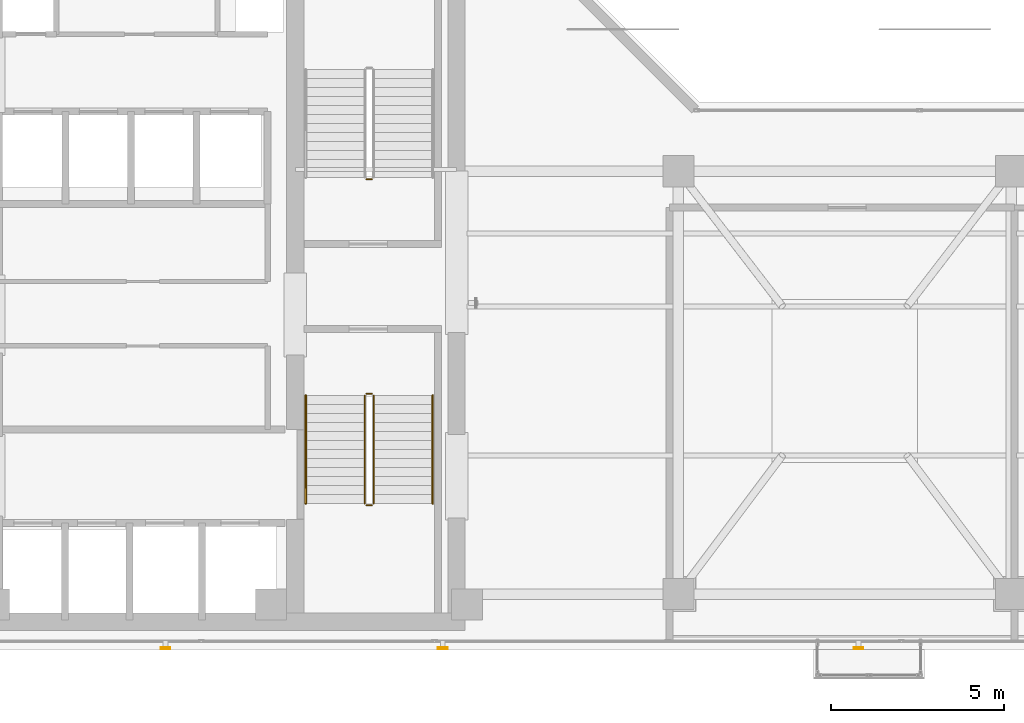
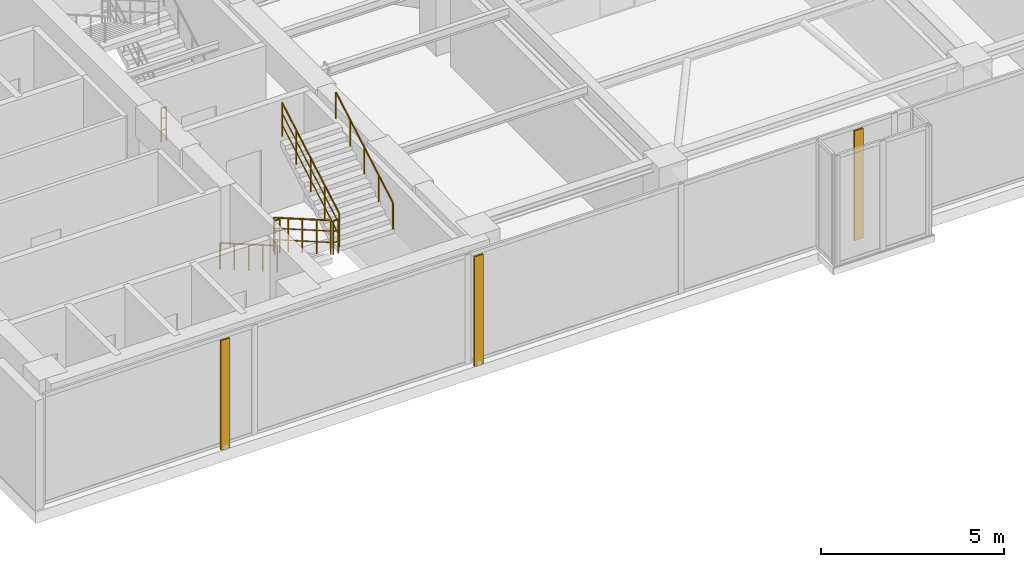
# One storey, part 27 of 31: 7 railings, 3 shading devices.
"""IFC4 building model written with IfcOpenShell, lengths in metres."""

from ifc_helpers import new_model, si_unit, direction, frame, origin, origin_2d, place, context, subcontext, project, spatial, hollow_rectangle, circle, extrude, material, material_profile, profile_set, type_object, element, save


model = new_model("IFC4")

# Units and contexts
model_context = context("Model", 3, precision=1e-05, world=origin(), true_north=direction((0.0, 1.0)))
body_context = subcontext(model_context, "Body", "Model", "MODEL_VIEW")
ifc_project = project(units=[si_unit("LENGTHUNIT", "METRE"), si_unit("AREAUNIT", "SQUARE_METRE"), si_unit("VOLUMEUNIT", "CUBIC_METRE"), si_unit("PLANEANGLEUNIT", "RADIAN"), si_unit("MASSUNIT", "GRAM", prefix="KILO")], contexts=[model_context])

# Site, building, storey
site_placement = place(None, origin())
site = spatial("IfcSite", under=ifc_project, at=site_placement, CompositionType="ELEMENT")
building_placement = place(site_placement, origin())
building = spatial("IfcBuilding", under=site, at=building_placement, Name="Kolvaren Waterfront Exchange", CompositionType="ELEMENT")
storey_placement = place(building_placement, frame((0.0, 0.0, 344.199951171875)))
storey = spatial("IfcBuildingStorey", under=building, at=storey_placement, Name="L88", CompositionType="ELEMENT", Elevation=344.199951171875)

# Shading devices
ifc_material_1 = material(Name="Anodised bronze aluminium 6063-T6", Category="aluminium")
ifc_material_profile = material_profile(ifc_material_1, hollow_rectangle(XDim=0.054931640625, YDim=0.280029296875, WallThickness=0.00439453125, at=origin_2d()), Name="BRZ-FIN-280x55x4.5")
ifc_profile_set = profile_set([ifc_material_profile], Name="Anodised bronze aluminium 6063-T6")
shading_device_type = type_object("IfcShadingDeviceType", Name="ARC-FIN-280", PredefinedType="USERDEFINED", material=ifc_profile_set)
for number, where, z_axis, x_axis, name in (
    (1, (12.39990234375, 3.639892578125, 0.0), (0.0, 0.0, 1.0), (0.0, -1.0, 0.0), "L88 anodised bronze solar shading fin FIN-L88-S1"),
    (2, (20.39990234375, 3.639892578125, 0.0), (0.0, 0.0, 1.0), (0.0, -1.0, 0.0), "L88 anodised bronze solar shading fin FIN-L88-S2"),
    (3, (32.39990234375, 3.639892578125, 0.0), (0.0, 0.0, 1.0), (0.0, -1.0, 0.0), "L88 anodised bronze solar shading fin FIN-L88-S3"),
):
    element("IfcShadingDevice", number, at=place(storey_placement, frame(where, z_axis=z_axis, x_axis=x_axis)), inside=storey, type_object=shading_device_type, Name=name, ObjectType="SOLAR FIN", PredefinedType="USERDEFINED", context=body_context, shape_type="SweptSolid", body=[
        extrude(hollow_rectangle(XDim=0.054931640625, YDim=0.280029296875, WallThickness=0.00439453125, at=origin_2d()), origin(), (0.0, 0.0, 1.0), 3.66015625),
    ])

# Railings
ifc_material_2 = material(Name="Stainless steel 316", Category="steel")
railing_type_1 = type_object("IfcRailingType", Name="ARC-GUARD-STAIR", PredefinedType="GUARDRAIL", material=ifc_material_2)
railing_1_placement = place(storey_placement, frame((18.14990234375, 10.929931640625, 0.150146484375)))
element("IfcRailing", 4, at=railing_1_placement, inside=storey, type_object=railing_type_1, Name="L88 ST1 stair guard 1", PredefinedType="GUARDRAIL", context=body_context, shape_type="SweptSolid", body=[
    extrude(circle(Radius=0.02392578125, at=origin_2d()), frame((0.0, 0.0, 1.1259765625), z_axis=(0.0, -0.866200255714, 0.499697025207), x_axis=(1.0, 0.0, 0.0)), (0.0, 0.0, 1.0), 3.601806640625),
    extrude(circle(Radius=0.01611328125, at=origin_2d()), frame((0.0, 0.0, 0.390869140625), z_axis=(0.0, -0.866200255714, 0.499697025207), x_axis=(1.0, 0.0, 0.0)), (0.0, 0.0, 1.0), 3.601806640625),
    extrude(circle(Radius=0.01611328125, at=origin_2d()), frame((0.0, 0.0, 0.7705078125), z_axis=(0.0, -0.866200255714, 0.499697025207), x_axis=(1.0, 0.0, 0.0)), (0.0, 0.0, 1.0), 3.601806640625),
    extrude(circle(Radius=0.02099609375, at=origin_2d()), origin(), (0.0, 0.0, 1.0), 1.101806640625),
    extrude(circle(Radius=0.02099609375, at=origin_2d()), frame((0.0, -0.780029296875, 0.449951171875)), (0.0, 0.0, 1.0), 1.101806640625),
    extrude(circle(Radius=0.02099609375, at=origin_2d()), frame((0.0, -1.56005859375, 0.89990234375)), (0.0, 0.0, 1.0), 1.101806640625),
    extrude(circle(Radius=0.02099609375, at=origin_2d()), frame((0.0, -2.33984375, 1.349853515625)), (0.0, 0.0, 1.0), 1.101806640625),
    extrude(circle(Radius=0.02099609375, at=origin_2d()), frame((0.0, -3.119873046875, 1.7998046875)), (0.0, 0.0, 1.0), 1.101806640625),
])
railing_2_placement = place(storey_placement, frame((18.199951171875, 7.760009765625, 1.949951171875)))
element("IfcRailing", 5, at=railing_2_placement, inside=storey, type_object=railing_type_1, Name="L88 ST1 stair guard 2", PredefinedType="GUARDRAIL", context=body_context, shape_type="SweptSolid", body=[
    extrude(circle(Radius=0.02392578125, at=origin_2d()), frame((0.0, 0.0, 1.1259765625), z_axis=(1.0, 0.0, 0.0), x_axis=(0.0, 1.0, 0.0)), (0.0, 0.0, 1.0), 0.16015625),
    extrude(circle(Radius=0.01611328125, at=origin_2d()), frame((0.0, 0.0, 0.390869140625), z_axis=(1.0, 0.0, 0.0), x_axis=(0.0, 1.0, 0.0)), (0.0, 0.0, 1.0), 0.16015625),
    extrude(circle(Radius=0.01611328125, at=origin_2d()), frame((0.0, 0.0, 0.7705078125), z_axis=(1.0, 0.0, 0.0), x_axis=(0.0, 1.0, 0.0)), (0.0, 0.0, 1.0), 0.16015625),
    extrude(circle(Radius=0.02099609375, at=origin_2d()), origin(), (0.0, 0.0, 1.0), 1.101806640625),
    extrude(circle(Radius=0.02099609375, at=origin_2d()), frame((0.16015625, 0.0, 0.0)), (0.0, 0.0, 1.0), 1.101806640625),
])
railing_3_placement = place(storey_placement, frame((18.409912109375, 7.81005859375, 2.10009765625)))
element("IfcRailing", 6, at=railing_3_placement, inside=storey, type_object=railing_type_1, Name="L88 ST1 stair guard 3", PredefinedType="GUARDRAIL", context=body_context, shape_type="SweptSolid", body=[
    extrude(circle(Radius=0.02392578125, at=origin_2d()), frame((0.0, 0.0, 1.1259765625), z_axis=(0.0, 0.866170916134, 0.49974788048), x_axis=(-1.0, 0.0, 0.0)), (0.0, 0.0, 1.0), 3.601806640625),
    extrude(circle(Radius=0.01611328125, at=origin_2d()), frame((0.0, 0.0, 0.390869140625), z_axis=(0.0, 0.866170916134, 0.49974788048), x_axis=(-1.0, 0.0, 0.0)), (0.0, 0.0, 1.0), 3.601806640625),
    extrude(circle(Radius=0.01611328125, at=origin_2d()), frame((0.0, 0.0, 0.7705078125), z_axis=(0.0, 0.866170916134, 0.49974788048), x_axis=(-1.0, 0.0, 0.0)), (0.0, 0.0, 1.0), 3.601806640625),
    extrude(circle(Radius=0.02099609375, at=origin_2d()), origin(), (0.0, 0.0, 1.0), 1.101806640625),
    extrude(circle(Radius=0.02099609375, at=origin_2d()), frame((0.0, 0.780029296875, 0.449951171875)), (0.0, 0.0, 1.0), 1.101806640625),
    extrude(circle(Radius=0.02099609375, at=origin_2d()), frame((0.0, 1.56005859375, 0.89990234375)), (0.0, 0.0, 1.0), 1.101806640625),
    extrude(circle(Radius=0.02099609375, at=origin_2d()), frame((0.0, 2.33984375, 1.35009765625)), (0.0, 0.0, 1.0), 1.101806640625),
    extrude(circle(Radius=0.02099609375, at=origin_2d()), frame((0.0, 3.119873046875, 1.800048828125)), (0.0, 0.0, 1.0), 1.101806640625),
])
railing_4_placement = place(storey_placement, frame((18.199951171875, 10.97998046875, 0.0)))
element("IfcRailing", 7, at=railing_4_placement, inside=storey, type_object=railing_type_1, Name="L88 ST1 stair guard 4", PredefinedType="GUARDRAIL", context=body_context, shape_type="SweptSolid", body=[
    extrude(circle(Radius=0.02392578125, at=origin_2d()), frame((0.0, 0.0, 1.1259765625), z_axis=(1.0, 0.0, 0.0), x_axis=(0.0, 1.0, 0.0)), (0.0, 0.0, 1.0), 0.16015625),
    extrude(circle(Radius=0.01611328125, at=origin_2d()), frame((0.0, 0.0, 0.390869140625), z_axis=(1.0, 0.0, 0.0), x_axis=(0.0, 1.0, 0.0)), (0.0, 0.0, 1.0), 0.16015625),
    extrude(circle(Radius=0.01611328125, at=origin_2d()), frame((0.0, 0.0, 0.7705078125), z_axis=(1.0, 0.0, 0.0), x_axis=(0.0, 1.0, 0.0)), (0.0, 0.0, 1.0), 0.16015625),
    extrude(circle(Radius=0.02099609375, at=origin_2d()), origin(), (0.0, 0.0, 1.0), 1.101806640625),
    extrude(circle(Radius=0.02099609375, at=origin_2d()), frame((0.16015625, 0.0, 0.0)), (0.0, 0.0, 1.0), 1.101806640625),
])
railing_5_placement = place(storey_placement, frame((18.360107421875, 17.169921875, 0.0)))
element("IfcRailing", 8, at=railing_5_placement, inside=storey, type_object=railing_type_1, Name="L88 ST2 stair guard 4", PredefinedType="GUARDRAIL", context=body_context, shape_type="SweptSolid", body=[
    extrude(circle(Radius=0.02392578125, at=origin_2d()), frame((0.0, 0.0, 1.1259765625), z_axis=(-1.0, 0.0, 0.0), x_axis=(0.0, -1.0, 0.0)), (0.0, 0.0, 1.0), 0.16015625),
    extrude(circle(Radius=0.01611328125, at=origin_2d()), frame((0.0, 0.0, 0.390869140625), z_axis=(-1.0, 0.0, 0.0), x_axis=(0.0, -1.0, 0.0)), (0.0, 0.0, 1.0), 0.16015625),
    extrude(circle(Radius=0.01611328125, at=origin_2d()), frame((0.0, 0.0, 0.7705078125), z_axis=(-1.0, 0.0, 0.0), x_axis=(0.0, -1.0, 0.0)), (0.0, 0.0, 1.0), 0.16015625),
    extrude(circle(Radius=0.02099609375, at=origin_2d()), origin(), (0.0, 0.0, 1.0), 1.101806640625),
    extrude(circle(Radius=0.02099609375, at=origin_2d()), frame((-0.16015625, 0.0, 0.0)), (0.0, 0.0, 1.0), 1.101806640625),
])
railing_type_2 = type_object("IfcRailingType", Name="ARC-HANDRAIL-900", PredefinedType="HANDRAIL", material=ifc_material_2)
railing_6_placement = place(storey_placement, frame((16.449951171875, 10.929931640625, 0.150146484375)))
element("IfcRailing", 9, at=railing_6_placement, inside=storey, type_object=railing_type_2, Name="L88 ST1 stair handrail 1", PredefinedType="HANDRAIL", context=body_context, shape_type="SweptSolid", body=[
    extrude(circle(Radius=0.02392578125, at=origin_2d()), frame((0.0, 0.0, 0.8759765625), z_axis=(0.0, -0.866200255714, 0.499697025207), x_axis=(1.0, 0.0, 0.0)), (0.0, 0.0, 1.0), 3.601806640625),
    extrude(circle(Radius=0.02099609375, at=origin_2d()), origin(), (0.0, 0.0, 1.0), 0.851806640625),
    extrude(circle(Radius=0.02099609375, at=origin_2d()), frame((0.0, -0.780029296875, 0.449951171875)), (0.0, 0.0, 1.0), 0.851806640625),
    extrude(circle(Radius=0.02099609375, at=origin_2d()), frame((0.0, -1.56005859375, 0.89990234375)), (0.0, 0.0, 1.0), 0.851806640625),
    extrude(circle(Radius=0.02099609375, at=origin_2d()), frame((0.0, -2.33984375, 1.349853515625)), (0.0, 0.0, 1.0), 0.851806640625),
    extrude(circle(Radius=0.02099609375, at=origin_2d()), frame((0.0, -3.119873046875, 1.7998046875)), (0.0, 0.0, 1.0), 0.851806640625),
])
railing_7_placement = place(storey_placement, frame((20.110107421875, 7.81005859375, 2.10009765625)))
element("IfcRailing", 10, at=railing_7_placement, inside=storey, type_object=railing_type_2, Name="L88 ST1 stair handrail 2", PredefinedType="HANDRAIL", context=body_context, shape_type="SweptSolid", body=[
    extrude(circle(Radius=0.02392578125, at=origin_2d()), frame((0.0, 0.0, 0.8759765625), z_axis=(0.0, 0.866170916134, 0.49974788048), x_axis=(-1.0, 0.0, 0.0)), (0.0, 0.0, 1.0), 3.601806640625),
    extrude(circle(Radius=0.02099609375, at=origin_2d()), origin(), (0.0, 0.0, 1.0), 0.851806640625),
    extrude(circle(Radius=0.02099609375, at=origin_2d()), frame((0.0, 0.780029296875, 0.449951171875)), (0.0, 0.0, 1.0), 0.851806640625),
    extrude(circle(Radius=0.02099609375, at=origin_2d()), frame((0.0, 1.56005859375, 0.89990234375)), (0.0, 0.0, 1.0), 0.851806640625),
    extrude(circle(Radius=0.02099609375, at=origin_2d()), frame((0.0, 2.33984375, 1.35009765625)), (0.0, 0.0, 1.0), 0.851806640625),
    extrude(circle(Radius=0.02099609375, at=origin_2d()), frame((0.0, 3.119873046875, 1.800048828125)), (0.0, 0.0, 1.0), 0.851806640625),
])

save(model, "model.ifc")
